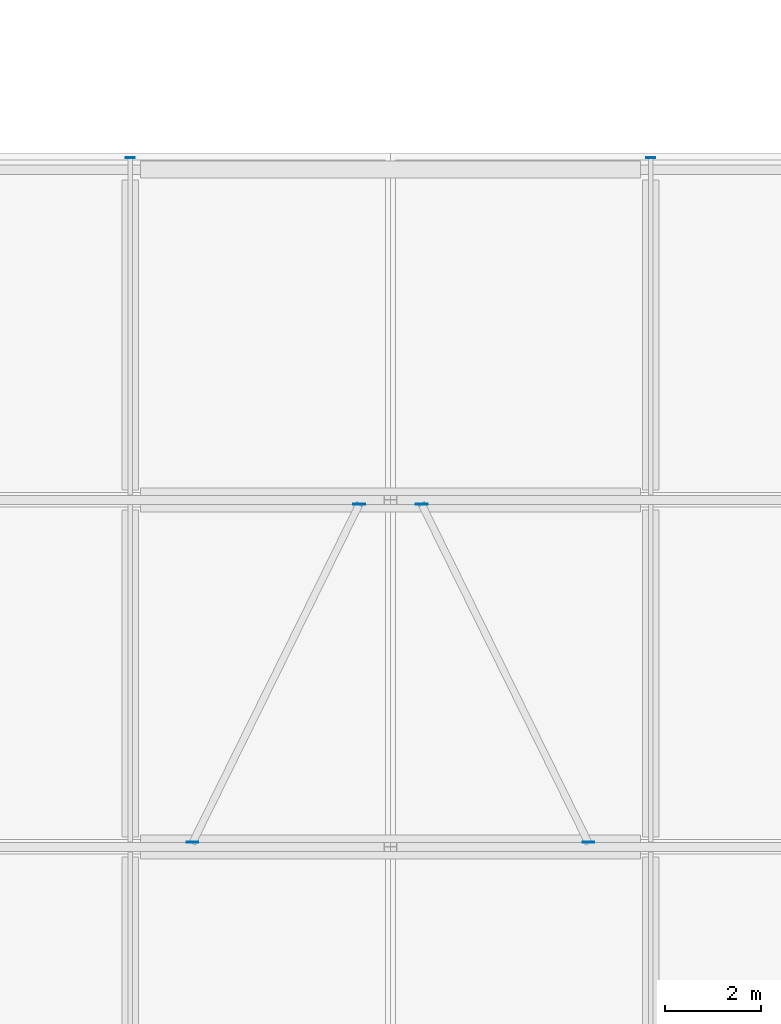
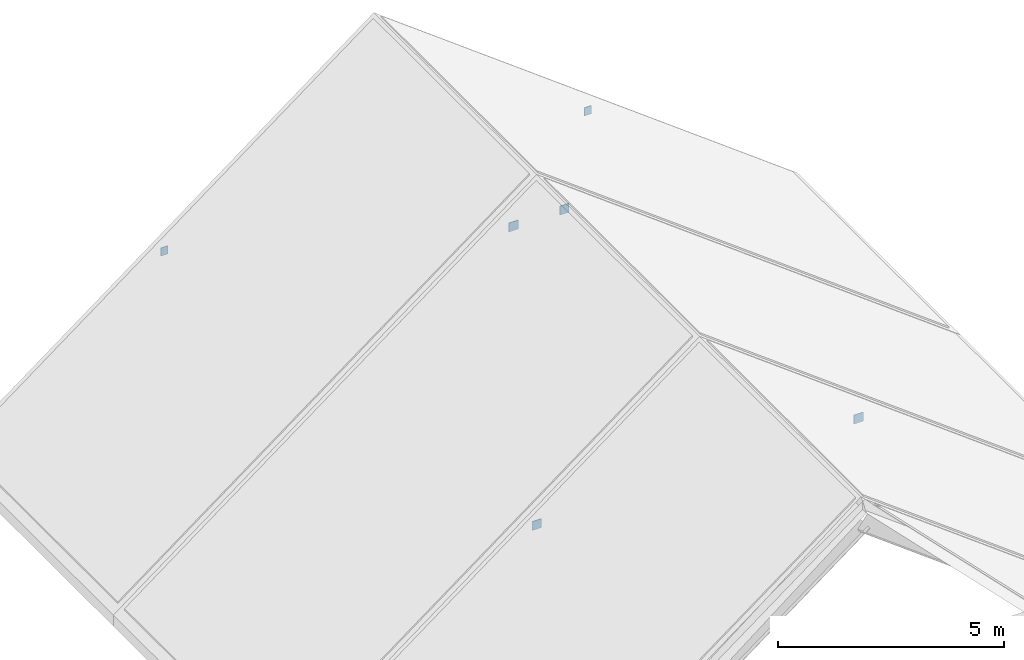
# One storey, part 22 of 35: 6 discrete accessories.
"""IFC4 building model written with IfcOpenShell, lengths in metres."""

import ifcopenshell
import ifcopenshell.guid

model = None  # the IFC model being written
_history = None  # IfcOwnerHistory: only IFC2X3 demands one
_inside = {}  # id of a spatial element -> (the spatial element, [elements in it])
_under = {}  # id of a project, library or spatial element -> (it, [spatial elements below it])
_declared = {}  # id of a project -> (the project, [libraries it declares])
_typed = {}  # id of a type object -> (the type object, [elements of that type])
_made_of = {}  # id of a material, layer set ... -> (it, [elements and type objects made of it])


def new_model(schema):
    """Start an empty IFC model of exactly this schema.

    Asked for "IFC4X3", IfcOpenShell would pick the latest addendum, in which some entities
    have other attributes; the version numbers below select the first issue.
    IFC2X3 requires an IfcOwnerHistory on every rooted entity: one is made here for all.
    """
    global model, _history
    if schema == "IFC4X3":
        model = ifcopenshell.file(schema_version=(4, 3, 0, 0))
    else:
        model = ifcopenshell.file(schema=schema)
    _inside.clear()
    _under.clear()
    _declared.clear()
    _typed.clear()
    _made_of.clear()
    _history = None
    if model.schema == "IFC2X3":
        org = make("IfcOrganization", Name="unknown")
        user = make(
            "IfcPersonAndOrganization",
            ThePerson=make("IfcPerson", FamilyName="unknown"),
            TheOrganization=org,
        )
        app = make(
            "IfcApplication",
            ApplicationDeveloper=org,
            Version="unknown",
            ApplicationFullName="unknown",
            ApplicationIdentifier="unknown",
        )
        _history = make(
            "IfcOwnerHistory",
            OwningUser=user,
            OwningApplication=app,
            ChangeAction="ADDED",
            CreationDate=0,
        )
    return model


def make(cls, **values):
    """One entity of the class cls with the attributes given. An attribute that is None is left unset."""
    return model.create_entity(
        cls, **{name: value for name, value in values.items() if value is not None}
    )


def rooted(cls, **values):
    """An entity with a GlobalId (a new one), such as an element, a storey or a relation."""
    return make(cls, GlobalId=ifcopenshell.guid.new(), OwnerHistory=_history, **values)


def si_unit(unit_type, name, prefix=None):
    """IfcSIUnit, for example si_unit("LENGTHUNIT", "METRE", prefix="MILLI")."""
    return make("IfcSIUnit", UnitType=unit_type, Prefix=prefix, Name=name)


def derived_unit(unit_type, elements):
    """IfcDerivedUnit: a product of units, each with its exponent."""
    return make(
        "IfcDerivedUnit",
        Elements=[
            make("IfcDerivedUnitElement", Unit=unit, Exponent=power)
            for unit, power in elements
        ],
        UnitType=unit_type,
    )


def assignment(units):
    """IfcUnitAssignment: the units of a project."""
    return None if units is None else make("IfcUnitAssignment", Units=units)


def point(xyz):
    """IfcCartesianPoint."""
    return None if xyz is None else make("IfcCartesianPoint", Coordinates=xyz)


def direction(xyz):
    """IfcDirection."""
    return None if xyz is None else make("IfcDirection", DirectionRatios=xyz)


def frame(location, z_axis=None, x_axis=None):
    """IfcAxis2Placement3D, a coordinate frame: its origin and axes. An axis left out is left unset."""
    return make(
        "IfcAxis2Placement3D",
        Location=point(location),
        Axis=direction(z_axis),
        RefDirection=direction(x_axis),
    )


def frame_2d(location, x_axis=None):
    """IfcAxis2Placement2D, a coordinate frame in the plane: its origin and x axis."""
    return make(
        "IfcAxis2Placement2D", Location=point(location), RefDirection=direction(x_axis)
    )


def origin():
    """The frame at (0, 0, 0) with its axes left unset."""
    return frame((0.0, 0.0, 0.0))


def origin_2d():
    """The frame at (0, 0) in the plane with its x axis left unset."""
    return frame_2d((0.0, 0.0))


def place(relative_to, where):
    """IfcLocalPlacement: puts the frame where relative to a parent placement (None: the world)."""
    return make(
        "IfcLocalPlacement", PlacementRelTo=relative_to, RelativePlacement=where
    )


def context(
    kind, dimensions, precision=None, world=None, true_north=None, identifier=None
):
    """IfcGeometricRepresentationContext, for example the 3D "Model" context."""
    return make(
        "IfcGeometricRepresentationContext",
        ContextIdentifier=identifier,
        ContextType=kind,
        CoordinateSpaceDimension=dimensions,
        Precision=precision,
        WorldCoordinateSystem=world,
        TrueNorth=true_north,
    )


def subcontext(parent, identifier, kind, view, scale=None):
    """IfcGeometricRepresentationSubContext, for example "Body" below "Model"."""
    return make(
        "IfcGeometricRepresentationSubContext",
        ContextIdentifier=identifier,
        ContextType=kind,
        ParentContext=parent,
        TargetScale=scale,
        TargetView=view,
    )


def project(units=None, contexts=None):
    """IfcProject with its units and contexts."""
    return rooted(
        "IfcProject",
        Name="project",
        RepresentationContexts=contexts,
        UnitsInContext=assignment(units),
    )


def spatial(cls, under=None, at=None, **own):
    """A site, building, storey or space (cls), placed at a placement, below another one or the project."""
    s = rooted(cls, ObjectPlacement=at, **own)
    if under is not None:
        _under.setdefault(under.id(), (under, []))[1].append(s)
    return s


def profile(cls, at=None, kind="AREA", **sizes):
    """A parametric profile (cls). Its sizes go by their IFC names, for example OverallWidth=200.0."""
    return make(cls, ProfileType=kind, Position=at, **sizes)


def rectangle(**sizes):
    """IfcRectangleProfileDef."""
    return profile("IfcRectangleProfileDef", **sizes)


def extrude(swept, where, along, depth):
    """IfcExtrudedAreaSolid: the profile swept, set in the frame where, extruded along a direction by depth."""
    return make(
        "IfcExtrudedAreaSolid",
        SweptArea=swept,
        Position=where,
        ExtrudedDirection=direction(along),
        Depth=depth,
    )


def shape(context_of_items, identifier, shape_type, items):
    """IfcShapeRepresentation: the items that make up one representation, for example the "Body"."""
    return make(
        "IfcShapeRepresentation",
        ContextOfItems=context_of_items,
        RepresentationIdentifier=identifier,
        RepresentationType=shape_type,
        Items=items,
    )


def material(Name=None, Category=None):
    """IfcMaterial."""
    return make("IfcMaterial", Name=Name, Category=Category)


def made_of(thing, what):
    """Note that an element or type object is made of a material, layer set ...; save() writes the relation."""
    if what is not None:
        _made_of.setdefault(what.id(), (what, []))[1].append(thing)
    return thing


def type_object(cls, material=None, **own):
    """A type object (cls), such as IfcWallType, which elements share."""
    return made_of(rooted(cls, **own), material)


def element(
    cls,
    number,
    at=None,
    inside=None,
    cuts=None,
    type_object=None,
    material=None,
    context=None,
    identifier="Body",
    shape_type=None,
    held_by="IfcProductDefinitionShape",
    body=None,
    shapes=None,
    **own,
):
    """One element of the class cls, such as IfcWall. Its Tag is "e" and its number.

    at: its placement. inside: the storey or other place that contains it. cuts: it is an
    opening in that element (IfcRelVoidsElement). A single representation is given by context,
    identifier, shape_type and body (its items); several are given by shapes. held_by: the class
    of the entity that holds the representations. save() writes the other relations.
    """
    e = rooted(cls, Tag="e%d" % number, ObjectPlacement=at, **own)
    if body is not None:
        shapes = [shape(context, identifier, shape_type, body)]
    if shapes is not None:
        e.Representation = make(held_by, Representations=shapes)
    if inside is not None:
        _inside.setdefault(inside.id(), (inside, []))[1].append(e)
    if cuts is not None:
        rooted(
            "IfcRelVoidsElement", RelatingBuildingElement=cuts, RelatedOpeningElement=e
        )
    if type_object is not None:
        _typed.setdefault(type_object.id(), (type_object, []))[1].append(e)
    return made_of(e, material)


def aggregate(whole, parts):
    """IfcRelAggregates: a whole, such as a stair, and the parts it consists of."""
    return rooted("IfcRelAggregates", RelatingObject=whole, RelatedObjects=parts)


def save(model, path):
    """Write the relations noted so far, then the file.

    IfcRelAggregates (storeys below a building ...), IfcRelContainedInSpatialStructure (elements
    in a storey), IfcRelDefinesByType, IfcRelAssociatesMaterial and IfcRelDeclares: one each for
    every whole, place, type object, material and project.
    """
    for whole, parts in _under.values():
        aggregate(whole, parts)
    for where, things in _inside.values():
        rooted(
            "IfcRelContainedInSpatialStructure",
            RelatedElements=things,
            RelatingStructure=where,
        )
    for kind, things in _typed.values():
        rooted("IfcRelDefinesByType", RelatedObjects=things, RelatingType=kind)
    for what, things in _made_of.values():
        rooted("IfcRelAssociatesMaterial", RelatedObjects=things, RelatingMaterial=what)
    for by, libraries in _declared.values():
        rooted("IfcRelDeclares", RelatingContext=by, RelatedDefinitions=libraries)
    model.write(path)


model = new_model("IFC4")

# Units and contexts
model_context = context("Model", 3, precision=1e-05, world=origin(), true_north=direction((0.0, 1.0)))
body_context = subcontext(model_context, "Body", "Model", "MODEL_VIEW")
ifc_project = project(units=[si_unit("LENGTHUNIT", "METRE"), si_unit("AREAUNIT", "SQUARE_METRE"), si_unit("VOLUMEUNIT", "CUBIC_METRE"), si_unit("PLANEANGLEUNIT", "RADIAN"), si_unit("MASSUNIT", "GRAM", prefix="KILO"), derived_unit("THERMALTRANSMITTANCEUNIT", [(si_unit("MASSUNIT", "GRAM", prefix="KILO"), 1), (si_unit("TIMEUNIT", "SECOND"), -3), (si_unit("THERMODYNAMICTEMPERATUREUNIT", "KELVIN"), -1)])], contexts=[model_context])

# Site, building, storey
site_placement = place(None, origin())
site = spatial("IfcSite", under=ifc_project, at=site_placement, CompositionType="ELEMENT")
building_placement = place(site_placement, origin())
building = spatial("IfcBuilding", under=site, at=building_placement, Name="Ochrekiln Boulevard Commons", CompositionType="ELEMENT")
storey_placement = place(building_placement, frame((0.0, 0.0, 30.97509765625)))
storey = spatial("IfcBuildingStorey", under=building, at=storey_placement, Name="L09", CompositionType="ELEMENT", Elevation=30.97509765625)

# Discrete accessories
ifc_material = material(Name="Steel A992 Grade 50", Category="steel")
discrete_accessory_type = type_object("IfcDiscreteAccessoryType", Name="ACC-GUS-PLATE", PredefinedType="BRACKET", material=ifc_material)
for number, where, z_axis, x_axis, name in (
    (1, (6.696044921875, 36.094970703125, 0.58642578125), (0.0, 0.0, 1.0), (1.0, 0.0, 0.0), "Block D Brace 6W End Gusset Plate A"),
    (2, (10.152099609375, 43.10498046875, 3.17822265625), (0.0, 0.0, 1.0), (1.0, 0.0, 0.0), "Block D Brace 6W End Gusset Plate B"),
    (3, (14.904052734375, 36.094970703125, 0.58642578125), (0.0, 0.0, 1.0), (1.0, 0.0, 0.0), "Block D Brace 6E End Gusset Plate A"),
    (4, (11.447998046875, 43.10498046875, 3.17822265625), (0.0, 0.0, 1.0), (1.0, 0.0, 0.0), "Block D Brace 6E End Gusset Plate B"),
):
    element("IfcDiscreteAccessory", number, at=place(storey_placement, frame(where, z_axis=z_axis, x_axis=x_axis)), inside=storey, type_object=discrete_accessory_type, Name=name, PredefinedType="BRACKET", context=body_context, shape_type="SweptSolid", body=[
        extrude(rectangle(XDim=0.239990234375, YDim=0.02001953125, at=origin_2d()), origin(), (0.0, 0.0, 1.0), 0.239990234375),
    ])
for number, where, z_axis, x_axis, name in (
    (5, (5.39990234375, 50.300048828125, -0.18359375), (0.0, 0.0, 1.0), (1.0, 0.0, 0.0), "Block D Roof Purlin 7W.1 20 mm Seal End-Cap Plate"),
    (6, (16.199951171875, 50.300048828125, -0.18359375), (0.0, 0.0, 1.0), (1.0, 0.0, 0.0), "Block D Roof Purlin 7E.1 20 mm Seal End-Cap Plate"),
):
    element("IfcDiscreteAccessory", number, at=place(storey_placement, frame(where, z_axis=z_axis, x_axis=x_axis)), inside=storey, type_object=discrete_accessory_type, Name=name, PredefinedType="BRACKET", context=body_context, shape_type="SweptSolid", body=[
        extrude(rectangle(XDim=0.179931640625, YDim=0.02001953125, at=origin_2d()), origin(), (0.0, 0.0, 1.0), 0.219970703125),
    ])

save(model, "model.ifc")
